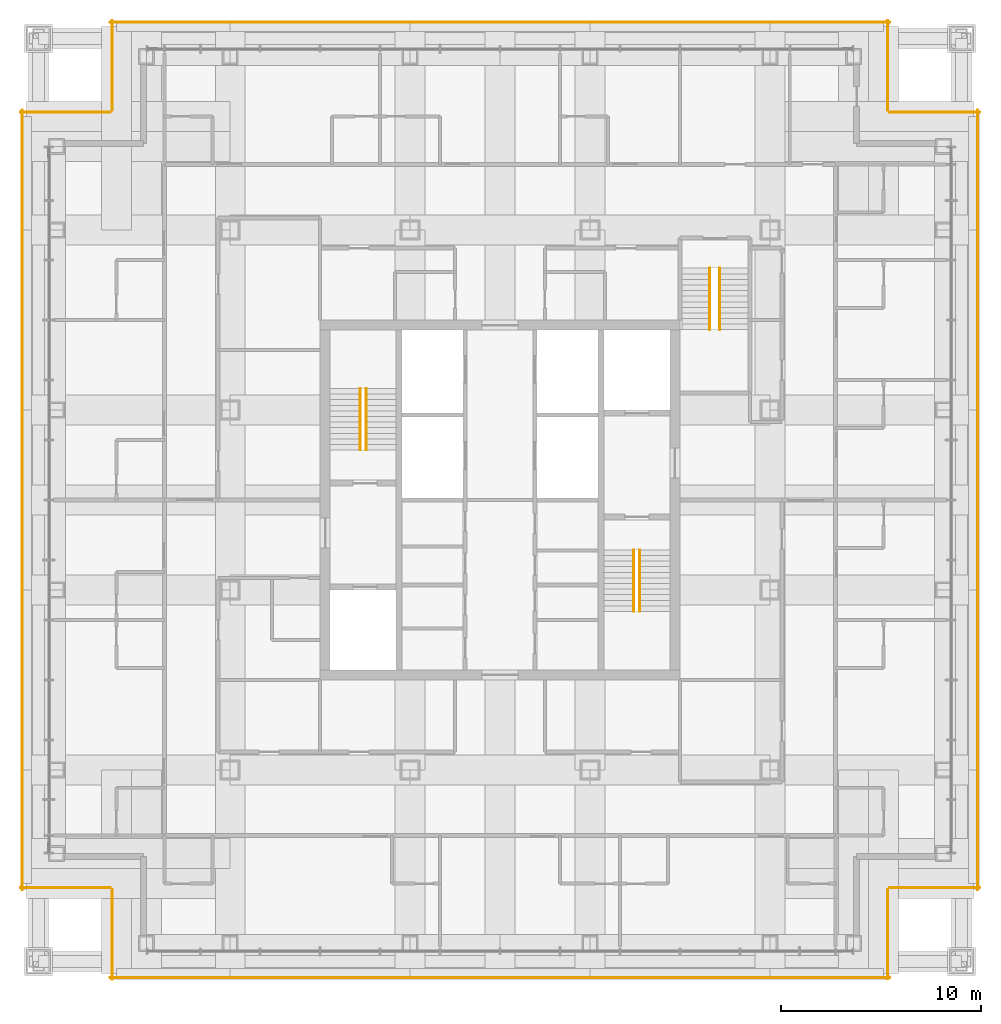
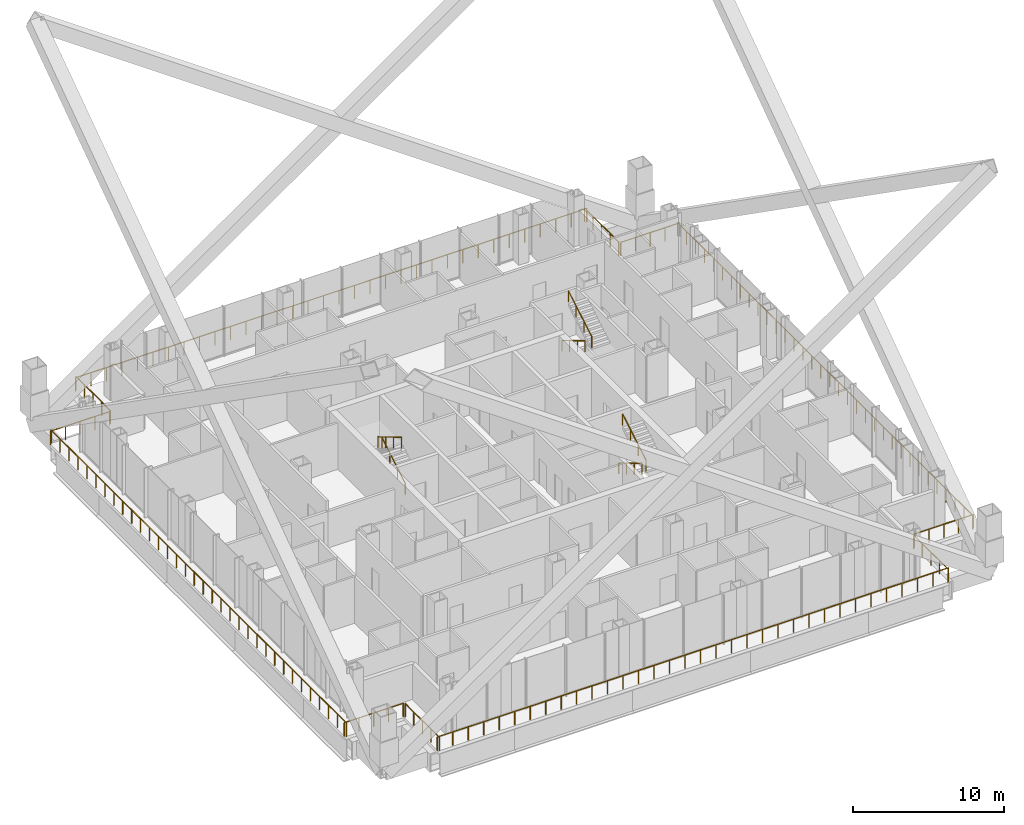
# One storey, part 16 of 18: 18 railings.
"""IFC4 building model written with IfcOpenShell, lengths in metres."""

from ifc_helpers import new_model, si_unit, direction, frame, origin, origin_2d, place, context, subcontext, project, spatial, circle, extrude, material, type_object, element, save


model = new_model("IFC4")

# Units and contexts
model_context = context("Model", 3, precision=1e-05, world=origin(), true_north=direction((0.0, 1.0)))
body_context = subcontext(model_context, "Body", "Model", "MODEL_VIEW")
ifc_project = project(units=[si_unit("LENGTHUNIT", "METRE"), si_unit("AREAUNIT", "SQUARE_METRE"), si_unit("VOLUMEUNIT", "CUBIC_METRE"), si_unit("PLANEANGLEUNIT", "RADIAN"), si_unit("MASSUNIT", "GRAM", prefix="KILO")], contexts=[model_context])

# Site, building, storey
site_placement = place(None, origin())
site = spatial("IfcSite", under=ifc_project, at=site_placement, CompositionType="ELEMENT")
building_placement = place(site_placement, origin())
building = spatial("IfcBuilding", under=site, at=building_placement, Name="Malebo Sky Hospital", CompositionType="ELEMENT")
storey_placement = place(building_placement, frame((0.0, 0.0, 177.0)))
storey = spatial("IfcBuildingStorey", under=building, at=storey_placement, Name="L42", CompositionType="ELEMENT", Elevation=177.0)

# Railings
ifc_material_1 = material(Name="Anodised aluminium, natural silver posts with stainless steel infill", Category="steel")
railing_type_1 = type_object("IfcRailingType", Name="ROOF EDGE GUARD 1100", PredefinedType="GUARDRAIL", material=ifc_material_1)
railing_1_placement = place(storey_placement, frame((79.39990234375, 38.0, 0.0)))
element("IfcRailing", 1, at=railing_1_placement, inside=storey, type_object=railing_type_1, Name="Maintenance roof edge guard 1 L42", PredefinedType="GUARDRAIL", context=body_context, shape_type="SweptSolid", body=[
    extrude(circle(Radius=0.02392578125, at=origin_2d()), frame((0.0, 0.0, 1.076171875), z_axis=(0.0, 1.0, 0.0), x_axis=(-1.0, 0.0, 0.0)), (0.0, 0.0, 1.0), 4.5),
    extrude(circle(Radius=0.02099609375, at=origin_2d()), origin(), (0.0, 0.0, 1.0), 1.052001953125),
    extrude(circle(Radius=0.02099609375, at=origin_2d()), frame((0.0, 1.125, 0.0)), (0.0, 0.0, 1.0), 1.052001953125),
    extrude(circle(Radius=0.02099609375, at=origin_2d()), frame((0.0, 2.25, 0.0)), (0.0, 0.0, 1.0), 1.052001953125),
    extrude(circle(Radius=0.02099609375, at=origin_2d()), frame((0.0, 3.375, 0.0)), (0.0, 0.0, 1.0), 1.052001953125),
    extrude(circle(Radius=0.02099609375, at=origin_2d()), frame((0.0, 4.5, 0.0)), (0.0, 0.0, 1.0), 1.052001953125),
])
railing_2_placement = place(storey_placement, frame((79.5, 42.60009765625, 0.0)))
element("IfcRailing", 2, at=railing_2_placement, inside=storey, type_object=railing_type_1, Name="Maintenance roof edge guard 2 L42", PredefinedType="GUARDRAIL", context=body_context, shape_type="SweptSolid", body=[
    extrude(circle(Radius=0.02392578125, at=origin_2d()), frame((0.0, 0.0, 1.076171875), z_axis=(1.0, 0.0, 0.0), x_axis=(0.0, 1.0, 0.0)), (0.0, 0.0, 1.0), 4.5),
    extrude(circle(Radius=0.02099609375, at=origin_2d()), origin(), (0.0, 0.0, 1.0), 1.052001953125),
    extrude(circle(Radius=0.02099609375, at=origin_2d()), frame((1.125, 0.0, 0.0)), (0.0, 0.0, 1.0), 1.052001953125),
    extrude(circle(Radius=0.02099609375, at=origin_2d()), frame((2.25, 0.0, 0.0)), (0.0, 0.0, 1.0), 1.052001953125),
    extrude(circle(Radius=0.02099609375, at=origin_2d()), frame((3.375, 0.0, 0.0)), (0.0, 0.0, 1.0), 1.052001953125),
    extrude(circle(Radius=0.02099609375, at=origin_2d()), frame((4.5, 0.0, 0.0)), (0.0, 0.0, 1.0), 1.052001953125),
])
railing_3_placement = place(storey_placement, frame((83.89990234375, 42.5, 0.0)))
element("IfcRailing", 3, at=railing_3_placement, inside=storey, type_object=railing_type_1, Name="Maintenance roof edge guard 3 L42", PredefinedType="GUARDRAIL", context=body_context, shape_type="SweptSolid", body=[
    extrude(circle(Radius=0.02392578125, at=origin_2d()), frame((0.0, 0.0, 1.076171875), z_axis=(0.0, 1.0, 0.0), x_axis=(-1.0, 0.0, 0.0)), (0.0, 0.0, 1.0), 39.0),
    extrude(circle(Radius=0.02099609375, at=origin_2d()), origin(), (0.0, 0.0, 1.0), 1.052001953125),
    extrude(circle(Radius=0.02099609375, at=origin_2d()), frame((0.0, 1.181884765625, 0.0)), (0.0, 0.0, 1.0), 1.052001953125),
    extrude(circle(Radius=0.02099609375, at=origin_2d()), frame((0.0, 2.363525390625, 0.0)), (0.0, 0.0, 1.0), 1.052001953125),
    extrude(circle(Radius=0.02099609375, at=origin_2d()), frame((0.0, 3.54541015625, 0.0)), (0.0, 0.0, 1.0), 1.052001953125),
    extrude(circle(Radius=0.02099609375, at=origin_2d()), frame((0.0, 4.727294921875, 0.0)), (0.0, 0.0, 1.0), 1.052001953125),
    extrude(circle(Radius=0.02099609375, at=origin_2d()), frame((0.0, 5.9091796875, 0.0)), (0.0, 0.0, 1.0), 1.052001953125),
    extrude(circle(Radius=0.02099609375, at=origin_2d()), frame((0.0, 7.0908203125, 0.0)), (0.0, 0.0, 1.0), 1.052001953125),
    extrude(circle(Radius=0.02099609375, at=origin_2d()), frame((0.0, 8.272705078125, 0.0)), (0.0, 0.0, 1.0), 1.052001953125),
    extrude(circle(Radius=0.02099609375, at=origin_2d()), frame((0.0, 9.45458984375, 0.0)), (0.0, 0.0, 1.0), 1.052001953125),
    extrude(circle(Radius=0.02099609375, at=origin_2d()), frame((0.0, 10.636474609375, 0.0)), (0.0, 0.0, 1.0), 1.052001953125),
    extrude(circle(Radius=0.02099609375, at=origin_2d()), frame((0.0, 11.818115234375, 0.0)), (0.0, 0.0, 1.0), 1.052001953125),
    extrude(circle(Radius=0.02099609375, at=origin_2d()), frame((0.0, 13.0, 0.0)), (0.0, 0.0, 1.0), 1.052001953125),
    extrude(circle(Radius=0.02099609375, at=origin_2d()), frame((0.0, 14.181884765625, 0.0)), (0.0, 0.0, 1.0), 1.052001953125),
    extrude(circle(Radius=0.02099609375, at=origin_2d()), frame((0.0, 15.363525390625, 0.0)), (0.0, 0.0, 1.0), 1.052001953125),
    extrude(circle(Radius=0.02099609375, at=origin_2d()), frame((0.0, 16.54541015625, 0.0)), (0.0, 0.0, 1.0), 1.052001953125),
    extrude(circle(Radius=0.02099609375, at=origin_2d()), frame((0.0, 17.727294921875, 0.0)), (0.0, 0.0, 1.0), 1.052001953125),
    extrude(circle(Radius=0.02099609375, at=origin_2d()), frame((0.0, 18.9091796875, 0.0)), (0.0, 0.0, 1.0), 1.052001953125),
    extrude(circle(Radius=0.02099609375, at=origin_2d()), frame((0.0, 20.0908203125, 0.0)), (0.0, 0.0, 1.0), 1.052001953125),
    extrude(circle(Radius=0.02099609375, at=origin_2d()), frame((0.0, 21.272705078125, 0.0)), (0.0, 0.0, 1.0), 1.052001953125),
    extrude(circle(Radius=0.02099609375, at=origin_2d()), frame((0.0, 22.45458984375, 0.0)), (0.0, 0.0, 1.0), 1.052001953125),
    extrude(circle(Radius=0.02099609375, at=origin_2d()), frame((0.0, 23.636474609375, 0.0)), (0.0, 0.0, 1.0), 1.052001953125),
    extrude(circle(Radius=0.02099609375, at=origin_2d()), frame((0.0, 24.818115234375, 0.0)), (0.0, 0.0, 1.0), 1.052001953125),
    extrude(circle(Radius=0.02099609375, at=origin_2d()), frame((0.0, 26.0, 0.0)), (0.0, 0.0, 1.0), 1.052001953125),
    extrude(circle(Radius=0.02099609375, at=origin_2d()), frame((0.0, 27.181884765625, 0.0)), (0.0, 0.0, 1.0), 1.052001953125),
    extrude(circle(Radius=0.02099609375, at=origin_2d()), frame((0.0, 28.363525390625, 0.0)), (0.0, 0.0, 1.0), 1.052001953125),
    extrude(circle(Radius=0.02099609375, at=origin_2d()), frame((0.0, 29.54541015625, 0.0)), (0.0, 0.0, 1.0), 1.052001953125),
    extrude(circle(Radius=0.02099609375, at=origin_2d()), frame((0.0, 30.727294921875, 0.0)), (0.0, 0.0, 1.0), 1.052001953125),
    extrude(circle(Radius=0.02099609375, at=origin_2d()), frame((0.0, 31.9091796875, 0.0)), (0.0, 0.0, 1.0), 1.052001953125),
    extrude(circle(Radius=0.02099609375, at=origin_2d()), frame((0.0, 33.0908203125, 0.0)), (0.0, 0.0, 1.0), 1.052001953125),
    extrude(circle(Radius=0.02099609375, at=origin_2d()), frame((0.0, 34.272705078125, 0.0)), (0.0, 0.0, 1.0), 1.052001953125),
    extrude(circle(Radius=0.02099609375, at=origin_2d()), frame((0.0, 35.45458984375, 0.0)), (0.0, 0.0, 1.0), 1.052001953125),
    extrude(circle(Radius=0.02099609375, at=origin_2d()), frame((0.0, 36.636474609375, 0.0)), (0.0, 0.0, 1.0), 1.052001953125),
    extrude(circle(Radius=0.02099609375, at=origin_2d()), frame((0.0, 37.818115234375, 0.0)), (0.0, 0.0, 1.0), 1.052001953125),
    extrude(circle(Radius=0.02099609375, at=origin_2d()), frame((0.0, 39.0, 0.0)), (0.0, 0.0, 1.0), 1.052001953125),
])
railing_4_placement = place(storey_placement, frame((84.0, 81.39990234375, 0.0)))
element("IfcRailing", 4, at=railing_4_placement, inside=storey, type_object=railing_type_1, Name="Maintenance roof edge guard 4 L42", PredefinedType="GUARDRAIL", context=body_context, shape_type="SweptSolid", body=[
    extrude(circle(Radius=0.02392578125, at=origin_2d()), frame((0.0, 0.0, 1.076171875), z_axis=(-1.0, 0.0, 0.0), x_axis=(0.0, -1.0, 0.0)), (0.0, 0.0, 1.0), 4.5),
    extrude(circle(Radius=0.02099609375, at=origin_2d()), origin(), (0.0, 0.0, 1.0), 1.052001953125),
    extrude(circle(Radius=0.02099609375, at=origin_2d()), frame((-1.125, 0.0, 0.0)), (0.0, 0.0, 1.0), 1.052001953125),
    extrude(circle(Radius=0.02099609375, at=origin_2d()), frame((-2.25, 0.0, 0.0)), (0.0, 0.0, 1.0), 1.052001953125),
    extrude(circle(Radius=0.02099609375, at=origin_2d()), frame((-3.375, 0.0, 0.0)), (0.0, 0.0, 1.0), 1.052001953125),
    extrude(circle(Radius=0.02099609375, at=origin_2d()), frame((-4.5, 0.0, 0.0)), (0.0, 0.0, 1.0), 1.052001953125),
])
railing_5_placement = place(storey_placement, frame((79.39990234375, 81.5, 0.0)))
element("IfcRailing", 5, at=railing_5_placement, inside=storey, type_object=railing_type_1, Name="Maintenance roof edge guard 5 L42", PredefinedType="GUARDRAIL", context=body_context, shape_type="SweptSolid", body=[
    extrude(circle(Radius=0.02392578125, at=origin_2d()), frame((0.0, 0.0, 1.076171875), z_axis=(0.0, 1.0, 0.0), x_axis=(-1.0, 0.0, 0.0)), (0.0, 0.0, 1.0), 4.5),
    extrude(circle(Radius=0.02099609375, at=origin_2d()), origin(), (0.0, 0.0, 1.0), 1.052001953125),
    extrude(circle(Radius=0.02099609375, at=origin_2d()), frame((0.0, 1.125, 0.0)), (0.0, 0.0, 1.0), 1.052001953125),
    extrude(circle(Radius=0.02099609375, at=origin_2d()), frame((0.0, 2.25, 0.0)), (0.0, 0.0, 1.0), 1.052001953125),
    extrude(circle(Radius=0.02099609375, at=origin_2d()), frame((0.0, 3.375, 0.0)), (0.0, 0.0, 1.0), 1.052001953125),
    extrude(circle(Radius=0.02099609375, at=origin_2d()), frame((0.0, 4.5, 0.0)), (0.0, 0.0, 1.0), 1.052001953125),
])
railing_6_placement = place(storey_placement, frame((79.5, 85.89990234375, 0.0)))
element("IfcRailing", 6, at=railing_6_placement, inside=storey, type_object=railing_type_1, Name="Maintenance roof edge guard 6 L42", PredefinedType="GUARDRAIL", context=body_context, shape_type="SweptSolid", body=[
    extrude(circle(Radius=0.02392578125, at=origin_2d()), frame((0.0, 0.0, 1.076171875), z_axis=(-1.0, 0.0, 0.0), x_axis=(0.0, -1.0, 0.0)), (0.0, 0.0, 1.0), 39.0),
    extrude(circle(Radius=0.02099609375, at=origin_2d()), origin(), (0.0, 0.0, 1.0), 1.052001953125),
    extrude(circle(Radius=0.02099609375, at=origin_2d()), frame((-1.181884765625, 0.0, 0.0)), (0.0, 0.0, 1.0), 1.052001953125),
    extrude(circle(Radius=0.02099609375, at=origin_2d()), frame((-2.363525390625, 0.0, 0.0)), (0.0, 0.0, 1.0), 1.052001953125),
    extrude(circle(Radius=0.02099609375, at=origin_2d()), frame((-3.54541015625, 0.0, 0.0)), (0.0, 0.0, 1.0), 1.052001953125),
    extrude(circle(Radius=0.02099609375, at=origin_2d()), frame((-4.727294921875, 0.0, 0.0)), (0.0, 0.0, 1.0), 1.052001953125),
    extrude(circle(Radius=0.02099609375, at=origin_2d()), frame((-5.9091796875, 0.0, 0.0)), (0.0, 0.0, 1.0), 1.052001953125),
    extrude(circle(Radius=0.02099609375, at=origin_2d()), frame((-7.0908203125, 0.0, 0.0)), (0.0, 0.0, 1.0), 1.052001953125),
    extrude(circle(Radius=0.02099609375, at=origin_2d()), frame((-8.272705078125, 0.0, 0.0)), (0.0, 0.0, 1.0), 1.052001953125),
    extrude(circle(Radius=0.02099609375, at=origin_2d()), frame((-9.45458984375, 0.0, 0.0)), (0.0, 0.0, 1.0), 1.052001953125),
    extrude(circle(Radius=0.02099609375, at=origin_2d()), frame((-10.636474609375, 0.0, 0.0)), (0.0, 0.0, 1.0), 1.052001953125),
    extrude(circle(Radius=0.02099609375, at=origin_2d()), frame((-11.818115234375, 0.0, 0.0)), (0.0, 0.0, 1.0), 1.052001953125),
    extrude(circle(Radius=0.02099609375, at=origin_2d()), frame((-13.0, 0.0, 0.0)), (0.0, 0.0, 1.0), 1.052001953125),
    extrude(circle(Radius=0.02099609375, at=origin_2d()), frame((-14.181884765625, 0.0, 0.0)), (0.0, 0.0, 1.0), 1.052001953125),
    extrude(circle(Radius=0.02099609375, at=origin_2d()), frame((-15.363525390625, 0.0, 0.0)), (0.0, 0.0, 1.0), 1.052001953125),
    extrude(circle(Radius=0.02099609375, at=origin_2d()), frame((-16.54541015625, 0.0, 0.0)), (0.0, 0.0, 1.0), 1.052001953125),
    extrude(circle(Radius=0.02099609375, at=origin_2d()), frame((-17.727294921875, 0.0, 0.0)), (0.0, 0.0, 1.0), 1.052001953125),
    extrude(circle(Radius=0.02099609375, at=origin_2d()), frame((-18.9091796875, 0.0, 0.0)), (0.0, 0.0, 1.0), 1.052001953125),
    extrude(circle(Radius=0.02099609375, at=origin_2d()), frame((-20.0908203125, 0.0, 0.0)), (0.0, 0.0, 1.0), 1.052001953125),
    extrude(circle(Radius=0.02099609375, at=origin_2d()), frame((-21.272705078125, 0.0, 0.0)), (0.0, 0.0, 1.0), 1.052001953125),
    extrude(circle(Radius=0.02099609375, at=origin_2d()), frame((-22.45458984375, 0.0, 0.0)), (0.0, 0.0, 1.0), 1.052001953125),
    extrude(circle(Radius=0.02099609375, at=origin_2d()), frame((-23.636474609375, 0.0, 0.0)), (0.0, 0.0, 1.0), 1.052001953125),
    extrude(circle(Radius=0.02099609375, at=origin_2d()), frame((-24.818115234375, 0.0, 0.0)), (0.0, 0.0, 1.0), 1.052001953125),
    extrude(circle(Radius=0.02099609375, at=origin_2d()), frame((-26.0, 0.0, 0.0)), (0.0, 0.0, 1.0), 1.052001953125),
    extrude(circle(Radius=0.02099609375, at=origin_2d()), frame((-27.181884765625, 0.0, 0.0)), (0.0, 0.0, 1.0), 1.052001953125),
    extrude(circle(Radius=0.02099609375, at=origin_2d()), frame((-28.363525390625, 0.0, 0.0)), (0.0, 0.0, 1.0), 1.052001953125),
    extrude(circle(Radius=0.02099609375, at=origin_2d()), frame((-29.54541015625, 0.0, 0.0)), (0.0, 0.0, 1.0), 1.052001953125),
    extrude(circle(Radius=0.02099609375, at=origin_2d()), frame((-30.727294921875, 0.0, 0.0)), (0.0, 0.0, 1.0), 1.052001953125),
    extrude(circle(Radius=0.02099609375, at=origin_2d()), frame((-31.9091796875, 0.0, 0.0)), (0.0, 0.0, 1.0), 1.052001953125),
    extrude(circle(Radius=0.02099609375, at=origin_2d()), frame((-33.0908203125, 0.0, 0.0)), (0.0, 0.0, 1.0), 1.052001953125),
    extrude(circle(Radius=0.02099609375, at=origin_2d()), frame((-34.272705078125, 0.0, 0.0)), (0.0, 0.0, 1.0), 1.052001953125),
    extrude(circle(Radius=0.02099609375, at=origin_2d()), frame((-35.45458984375, 0.0, 0.0)), (0.0, 0.0, 1.0), 1.052001953125),
    extrude(circle(Radius=0.02099609375, at=origin_2d()), frame((-36.636474609375, 0.0, 0.0)), (0.0, 0.0, 1.0), 1.052001953125),
    extrude(circle(Radius=0.02099609375, at=origin_2d()), frame((-37.818115234375, 0.0, 0.0)), (0.0, 0.0, 1.0), 1.052001953125),
    extrude(circle(Radius=0.02099609375, at=origin_2d()), frame((-39.0, 0.0, 0.0)), (0.0, 0.0, 1.0), 1.052001953125),
])
railing_7_placement = place(storey_placement, frame((40.60009765625, 86.0, 0.0)))
element("IfcRailing", 7, at=railing_7_placement, inside=storey, type_object=railing_type_1, Name="Maintenance roof edge guard 7 L42", PredefinedType="GUARDRAIL", context=body_context, shape_type="SweptSolid", body=[
    extrude(circle(Radius=0.02392578125, at=origin_2d()), frame((0.0, 0.0, 1.076171875), z_axis=(0.0, -1.0, 0.0), x_axis=(1.0, 0.0, 0.0)), (0.0, 0.0, 1.0), 4.5),
    extrude(circle(Radius=0.02099609375, at=origin_2d()), origin(), (0.0, 0.0, 1.0), 1.052001953125),
    extrude(circle(Radius=0.02099609375, at=origin_2d()), frame((0.0, -1.125, 0.0)), (0.0, 0.0, 1.0), 1.052001953125),
    extrude(circle(Radius=0.02099609375, at=origin_2d()), frame((0.0, -2.25, 0.0)), (0.0, 0.0, 1.0), 1.052001953125),
    extrude(circle(Radius=0.02099609375, at=origin_2d()), frame((0.0, -3.375, 0.0)), (0.0, 0.0, 1.0), 1.052001953125),
    extrude(circle(Radius=0.02099609375, at=origin_2d()), frame((0.0, -4.5, 0.0)), (0.0, 0.0, 1.0), 1.052001953125),
])
railing_8_placement = place(storey_placement, frame((40.5, 81.39990234375, 0.0)))
element("IfcRailing", 8, at=railing_8_placement, inside=storey, type_object=railing_type_1, Name="Maintenance roof edge guard 8 L42", PredefinedType="GUARDRAIL", context=body_context, shape_type="SweptSolid", body=[
    extrude(circle(Radius=0.02392578125, at=origin_2d()), frame((0.0, 0.0, 1.076171875), z_axis=(-1.0, 0.0, 0.0), x_axis=(0.0, -1.0, 0.0)), (0.0, 0.0, 1.0), 4.5),
    extrude(circle(Radius=0.02099609375, at=origin_2d()), origin(), (0.0, 0.0, 1.0), 1.052001953125),
    extrude(circle(Radius=0.02099609375, at=origin_2d()), frame((-1.125, 0.0, 0.0)), (0.0, 0.0, 1.0), 1.052001953125),
    extrude(circle(Radius=0.02099609375, at=origin_2d()), frame((-2.25, 0.0, 0.0)), (0.0, 0.0, 1.0), 1.052001953125),
    extrude(circle(Radius=0.02099609375, at=origin_2d()), frame((-3.375, 0.0, 0.0)), (0.0, 0.0, 1.0), 1.052001953125),
    extrude(circle(Radius=0.02099609375, at=origin_2d()), frame((-4.5, 0.0, 0.0)), (0.0, 0.0, 1.0), 1.052001953125),
])
railing_9_placement = place(storey_placement, frame((36.10009765625, 81.5, 0.0)))
element("IfcRailing", 9, at=railing_9_placement, inside=storey, type_object=railing_type_1, Name="Maintenance roof edge guard 9 L42", PredefinedType="GUARDRAIL", context=body_context, shape_type="SweptSolid", body=[
    extrude(circle(Radius=0.02392578125, at=origin_2d()), frame((0.0, 0.0, 1.076171875), z_axis=(0.0, -1.0, 0.0), x_axis=(1.0, 0.0, 0.0)), (0.0, 0.0, 1.0), 39.0),
    extrude(circle(Radius=0.02099609375, at=origin_2d()), origin(), (0.0, 0.0, 1.0), 1.052001953125),
    extrude(circle(Radius=0.02099609375, at=origin_2d()), frame((0.0, -1.181884765625, 0.0)), (0.0, 0.0, 1.0), 1.052001953125),
    extrude(circle(Radius=0.02099609375, at=origin_2d()), frame((0.0, -2.363525390625, 0.0)), (0.0, 0.0, 1.0), 1.052001953125),
    extrude(circle(Radius=0.02099609375, at=origin_2d()), frame((0.0, -3.54541015625, 0.0)), (0.0, 0.0, 1.0), 1.052001953125),
    extrude(circle(Radius=0.02099609375, at=origin_2d()), frame((0.0, -4.727294921875, 0.0)), (0.0, 0.0, 1.0), 1.052001953125),
    extrude(circle(Radius=0.02099609375, at=origin_2d()), frame((0.0, -5.9091796875, 0.0)), (0.0, 0.0, 1.0), 1.052001953125),
    extrude(circle(Radius=0.02099609375, at=origin_2d()), frame((0.0, -7.0908203125, 0.0)), (0.0, 0.0, 1.0), 1.052001953125),
    extrude(circle(Radius=0.02099609375, at=origin_2d()), frame((0.0, -8.272705078125, 0.0)), (0.0, 0.0, 1.0), 1.052001953125),
    extrude(circle(Radius=0.02099609375, at=origin_2d()), frame((0.0, -9.45458984375, 0.0)), (0.0, 0.0, 1.0), 1.052001953125),
    extrude(circle(Radius=0.02099609375, at=origin_2d()), frame((0.0, -10.636474609375, 0.0)), (0.0, 0.0, 1.0), 1.052001953125),
    extrude(circle(Radius=0.02099609375, at=origin_2d()), frame((0.0, -11.818115234375, 0.0)), (0.0, 0.0, 1.0), 1.052001953125),
    extrude(circle(Radius=0.02099609375, at=origin_2d()), frame((0.0, -13.0, 0.0)), (0.0, 0.0, 1.0), 1.052001953125),
    extrude(circle(Radius=0.02099609375, at=origin_2d()), frame((0.0, -14.181884765625, 0.0)), (0.0, 0.0, 1.0), 1.052001953125),
    extrude(circle(Radius=0.02099609375, at=origin_2d()), frame((0.0, -15.363525390625, 0.0)), (0.0, 0.0, 1.0), 1.052001953125),
    extrude(circle(Radius=0.02099609375, at=origin_2d()), frame((0.0, -16.54541015625, 0.0)), (0.0, 0.0, 1.0), 1.052001953125),
    extrude(circle(Radius=0.02099609375, at=origin_2d()), frame((0.0, -17.727294921875, 0.0)), (0.0, 0.0, 1.0), 1.052001953125),
    extrude(circle(Radius=0.02099609375, at=origin_2d()), frame((0.0, -18.9091796875, 0.0)), (0.0, 0.0, 1.0), 1.052001953125),
    extrude(circle(Radius=0.02099609375, at=origin_2d()), frame((0.0, -20.0908203125, 0.0)), (0.0, 0.0, 1.0), 1.052001953125),
    extrude(circle(Radius=0.02099609375, at=origin_2d()), frame((0.0, -21.272705078125, 0.0)), (0.0, 0.0, 1.0), 1.052001953125),
    extrude(circle(Radius=0.02099609375, at=origin_2d()), frame((0.0, -22.45458984375, 0.0)), (0.0, 0.0, 1.0), 1.052001953125),
    extrude(circle(Radius=0.02099609375, at=origin_2d()), frame((0.0, -23.636474609375, 0.0)), (0.0, 0.0, 1.0), 1.052001953125),
    extrude(circle(Radius=0.02099609375, at=origin_2d()), frame((0.0, -24.818115234375, 0.0)), (0.0, 0.0, 1.0), 1.052001953125),
    extrude(circle(Radius=0.02099609375, at=origin_2d()), frame((0.0, -26.0, 0.0)), (0.0, 0.0, 1.0), 1.052001953125),
    extrude(circle(Radius=0.02099609375, at=origin_2d()), frame((0.0, -27.181884765625, 0.0)), (0.0, 0.0, 1.0), 1.052001953125),
    extrude(circle(Radius=0.02099609375, at=origin_2d()), frame((0.0, -28.363525390625, 0.0)), (0.0, 0.0, 1.0), 1.052001953125),
    extrude(circle(Radius=0.02099609375, at=origin_2d()), frame((0.0, -29.54541015625, 0.0)), (0.0, 0.0, 1.0), 1.052001953125),
    extrude(circle(Radius=0.02099609375, at=origin_2d()), frame((0.0, -30.727294921875, 0.0)), (0.0, 0.0, 1.0), 1.052001953125),
    extrude(circle(Radius=0.02099609375, at=origin_2d()), frame((0.0, -31.9091796875, 0.0)), (0.0, 0.0, 1.0), 1.052001953125),
    extrude(circle(Radius=0.02099609375, at=origin_2d()), frame((0.0, -33.0908203125, 0.0)), (0.0, 0.0, 1.0), 1.052001953125),
    extrude(circle(Radius=0.02099609375, at=origin_2d()), frame((0.0, -34.272705078125, 0.0)), (0.0, 0.0, 1.0), 1.052001953125),
    extrude(circle(Radius=0.02099609375, at=origin_2d()), frame((0.0, -35.45458984375, 0.0)), (0.0, 0.0, 1.0), 1.052001953125),
    extrude(circle(Radius=0.02099609375, at=origin_2d()), frame((0.0, -36.636474609375, 0.0)), (0.0, 0.0, 1.0), 1.052001953125),
    extrude(circle(Radius=0.02099609375, at=origin_2d()), frame((0.0, -37.818115234375, 0.0)), (0.0, 0.0, 1.0), 1.052001953125),
    extrude(circle(Radius=0.02099609375, at=origin_2d()), frame((0.0, -39.0, 0.0)), (0.0, 0.0, 1.0), 1.052001953125),
])
railing_10_placement = place(storey_placement, frame((36.0, 42.60009765625, 0.0)))
element("IfcRailing", 10, at=railing_10_placement, inside=storey, type_object=railing_type_1, Name="Maintenance roof edge guard 10 L42", PredefinedType="GUARDRAIL", context=body_context, shape_type="SweptSolid", body=[
    extrude(circle(Radius=0.02392578125, at=origin_2d()), frame((0.0, 0.0, 1.076171875), z_axis=(1.0, 0.0, 0.0), x_axis=(0.0, 1.0, 0.0)), (0.0, 0.0, 1.0), 4.5),
    extrude(circle(Radius=0.02099609375, at=origin_2d()), origin(), (0.0, 0.0, 1.0), 1.052001953125),
    extrude(circle(Radius=0.02099609375, at=origin_2d()), frame((1.125, 0.0, 0.0)), (0.0, 0.0, 1.0), 1.052001953125),
    extrude(circle(Radius=0.02099609375, at=origin_2d()), frame((2.25, 0.0, 0.0)), (0.0, 0.0, 1.0), 1.052001953125),
    extrude(circle(Radius=0.02099609375, at=origin_2d()), frame((3.375, 0.0, 0.0)), (0.0, 0.0, 1.0), 1.052001953125),
    extrude(circle(Radius=0.02099609375, at=origin_2d()), frame((4.5, 0.0, 0.0)), (0.0, 0.0, 1.0), 1.052001953125),
])
railing_11_placement = place(storey_placement, frame((40.60009765625, 42.5, 0.0)))
element("IfcRailing", 11, at=railing_11_placement, inside=storey, type_object=railing_type_1, Name="Maintenance roof edge guard 11 L42", PredefinedType="GUARDRAIL", context=body_context, shape_type="SweptSolid", body=[
    extrude(circle(Radius=0.02392578125, at=origin_2d()), frame((0.0, 0.0, 1.076171875), z_axis=(0.0, -1.0, 0.0), x_axis=(1.0, 0.0, 0.0)), (0.0, 0.0, 1.0), 4.5),
    extrude(circle(Radius=0.02099609375, at=origin_2d()), origin(), (0.0, 0.0, 1.0), 1.052001953125),
    extrude(circle(Radius=0.02099609375, at=origin_2d()), frame((0.0, -1.125, 0.0)), (0.0, 0.0, 1.0), 1.052001953125),
    extrude(circle(Radius=0.02099609375, at=origin_2d()), frame((0.0, -2.25, 0.0)), (0.0, 0.0, 1.0), 1.052001953125),
    extrude(circle(Radius=0.02099609375, at=origin_2d()), frame((0.0, -3.375, 0.0)), (0.0, 0.0, 1.0), 1.052001953125),
    extrude(circle(Radius=0.02099609375, at=origin_2d()), frame((0.0, -4.5, 0.0)), (0.0, 0.0, 1.0), 1.052001953125),
])
railing_12_placement = place(storey_placement, frame((40.5, 38.10009765625, 0.0)))
element("IfcRailing", 12, at=railing_12_placement, inside=storey, type_object=railing_type_1, Name="Maintenance roof edge guard 12 L42", PredefinedType="GUARDRAIL", context=body_context, shape_type="SweptSolid", body=[
    extrude(circle(Radius=0.02392578125, at=origin_2d()), frame((0.0, 0.0, 1.076171875), z_axis=(1.0, 0.0, 0.0), x_axis=(0.0, 1.0, 0.0)), (0.0, 0.0, 1.0), 39.0),
    extrude(circle(Radius=0.02099609375, at=origin_2d()), origin(), (0.0, 0.0, 1.0), 1.052001953125),
    extrude(circle(Radius=0.02099609375, at=origin_2d()), frame((1.181884765625, 0.0, 0.0)), (0.0, 0.0, 1.0), 1.052001953125),
    extrude(circle(Radius=0.02099609375, at=origin_2d()), frame((2.363525390625, 0.0, 0.0)), (0.0, 0.0, 1.0), 1.052001953125),
    extrude(circle(Radius=0.02099609375, at=origin_2d()), frame((3.54541015625, 0.0, 0.0)), (0.0, 0.0, 1.0), 1.052001953125),
    extrude(circle(Radius=0.02099609375, at=origin_2d()), frame((4.727294921875, 0.0, 0.0)), (0.0, 0.0, 1.0), 1.052001953125),
    extrude(circle(Radius=0.02099609375, at=origin_2d()), frame((5.9091796875, 0.0, 0.0)), (0.0, 0.0, 1.0), 1.052001953125),
    extrude(circle(Radius=0.02099609375, at=origin_2d()), frame((7.0908203125, 0.0, 0.0)), (0.0, 0.0, 1.0), 1.052001953125),
    extrude(circle(Radius=0.02099609375, at=origin_2d()), frame((8.272705078125, 0.0, 0.0)), (0.0, 0.0, 1.0), 1.052001953125),
    extrude(circle(Radius=0.02099609375, at=origin_2d()), frame((9.45458984375, 0.0, 0.0)), (0.0, 0.0, 1.0), 1.052001953125),
    extrude(circle(Radius=0.02099609375, at=origin_2d()), frame((10.636474609375, 0.0, 0.0)), (0.0, 0.0, 1.0), 1.052001953125),
    extrude(circle(Radius=0.02099609375, at=origin_2d()), frame((11.818115234375, 0.0, 0.0)), (0.0, 0.0, 1.0), 1.052001953125),
    extrude(circle(Radius=0.02099609375, at=origin_2d()), frame((13.0, 0.0, 0.0)), (0.0, 0.0, 1.0), 1.052001953125),
    extrude(circle(Radius=0.02099609375, at=origin_2d()), frame((14.181884765625, 0.0, 0.0)), (0.0, 0.0, 1.0), 1.052001953125),
    extrude(circle(Radius=0.02099609375, at=origin_2d()), frame((15.363525390625, 0.0, 0.0)), (0.0, 0.0, 1.0), 1.052001953125),
    extrude(circle(Radius=0.02099609375, at=origin_2d()), frame((16.54541015625, 0.0, 0.0)), (0.0, 0.0, 1.0), 1.052001953125),
    extrude(circle(Radius=0.02099609375, at=origin_2d()), frame((17.727294921875, 0.0, 0.0)), (0.0, 0.0, 1.0), 1.052001953125),
    extrude(circle(Radius=0.02099609375, at=origin_2d()), frame((18.9091796875, 0.0, 0.0)), (0.0, 0.0, 1.0), 1.052001953125),
    extrude(circle(Radius=0.02099609375, at=origin_2d()), frame((20.0908203125, 0.0, 0.0)), (0.0, 0.0, 1.0), 1.052001953125),
    extrude(circle(Radius=0.02099609375, at=origin_2d()), frame((21.272705078125, 0.0, 0.0)), (0.0, 0.0, 1.0), 1.052001953125),
    extrude(circle(Radius=0.02099609375, at=origin_2d()), frame((22.45458984375, 0.0, 0.0)), (0.0, 0.0, 1.0), 1.052001953125),
    extrude(circle(Radius=0.02099609375, at=origin_2d()), frame((23.636474609375, 0.0, 0.0)), (0.0, 0.0, 1.0), 1.052001953125),
    extrude(circle(Radius=0.02099609375, at=origin_2d()), frame((24.818115234375, 0.0, 0.0)), (0.0, 0.0, 1.0), 1.052001953125),
    extrude(circle(Radius=0.02099609375, at=origin_2d()), frame((26.0, 0.0, 0.0)), (0.0, 0.0, 1.0), 1.052001953125),
    extrude(circle(Radius=0.02099609375, at=origin_2d()), frame((27.181884765625, 0.0, 0.0)), (0.0, 0.0, 1.0), 1.052001953125),
    extrude(circle(Radius=0.02099609375, at=origin_2d()), frame((28.363525390625, 0.0, 0.0)), (0.0, 0.0, 1.0), 1.052001953125),
    extrude(circle(Radius=0.02099609375, at=origin_2d()), frame((29.54541015625, 0.0, 0.0)), (0.0, 0.0, 1.0), 1.052001953125),
    extrude(circle(Radius=0.02099609375, at=origin_2d()), frame((30.727294921875, 0.0, 0.0)), (0.0, 0.0, 1.0), 1.052001953125),
    extrude(circle(Radius=0.02099609375, at=origin_2d()), frame((31.9091796875, 0.0, 0.0)), (0.0, 0.0, 1.0), 1.052001953125),
    extrude(circle(Radius=0.02099609375, at=origin_2d()), frame((33.0908203125, 0.0, 0.0)), (0.0, 0.0, 1.0), 1.052001953125),
    extrude(circle(Radius=0.02099609375, at=origin_2d()), frame((34.272705078125, 0.0, 0.0)), (0.0, 0.0, 1.0), 1.052001953125),
    extrude(circle(Radius=0.02099609375, at=origin_2d()), frame((35.45458984375, 0.0, 0.0)), (0.0, 0.0, 1.0), 1.052001953125),
    extrude(circle(Radius=0.02099609375, at=origin_2d()), frame((36.636474609375, 0.0, 0.0)), (0.0, 0.0, 1.0), 1.052001953125),
    extrude(circle(Radius=0.02099609375, at=origin_2d()), frame((37.818115234375, 0.0, 0.0)), (0.0, 0.0, 1.0), 1.052001953125),
    extrude(circle(Radius=0.02099609375, at=origin_2d()), frame((39.0, 0.0, 0.0)), (0.0, 0.0, 1.0), 1.052001953125),
])
ifc_material_2 = material(Name="Stainless steel tube", Category="steel")
railing_type_2 = type_object("IfcRailingType", Name="STAIR HANDRAIL 900", PredefinedType="HANDRAIL", material=ifc_material_2)
railing_13_placement = place(storey_placement, frame((53.300048828125, 64.5, 0.166748046875)))
element("IfcRailing", 13, at=railing_13_placement, inside=storey, type_object=railing_type_2, Name="Stair handrail S1 flight 1", PredefinedType="HANDRAIL", context=body_context, shape_type="SweptSolid", body=[
    extrude(circle(Radius=0.02392578125, at=origin_2d()), frame((0.0, 0.0, 0.8759765625), z_axis=(0.0, 0.859308565015, 0.511457515432), x_axis=(-1.0, 0.0, 0.0)), (0.0, 0.0, 1.0), 3.58447265625),
    extrude(circle(Radius=0.02099609375, at=origin_2d()), origin(), (0.0, 0.0, 1.0), 0.851806640625),
    extrude(circle(Radius=0.02099609375, at=origin_2d()), frame((0.0, 1.026611328125, 0.611083984375)), (0.0, 0.0, 1.0), 0.851806640625),
    extrude(circle(Radius=0.02099609375, at=origin_2d()), frame((0.0, 2.053466796875, 1.22216796875)), (0.0, 0.0, 1.0), 0.851806640625),
    extrude(circle(Radius=0.02099609375, at=origin_2d()), frame((0.0, 3.080078125, 1.833251953125)), (0.0, 0.0, 1.0), 0.851806640625),
])
for number, where, name in (
    (14, (53.0, 67.580078125, 2.166748046875), "Stair handrail S1 flight 2"),
    (15, (66.699951171875, 59.5, 0.166748046875), "Stair handrail S2 flight 1"),
):
    element("IfcRailing", number, at=place(storey_placement, frame(where)), inside=storey, type_object=railing_type_2, Name=name, PredefinedType="HANDRAIL", context=body_context, shape_type="SweptSolid", body=[
        extrude(circle(Radius=0.02392578125, at=origin_2d()), frame((0.0, 0.0, 0.8759765625), z_axis=(0.0, -0.859308565015, 0.511457515432), x_axis=(1.0, 0.0, 0.0)), (0.0, 0.0, 1.0), 3.58447265625),
        extrude(circle(Radius=0.02099609375, at=origin_2d()), origin(), (0.0, 0.0, 1.0), 0.851806640625),
        extrude(circle(Radius=0.02099609375, at=origin_2d()), frame((0.0, -1.026611328125, 0.611083984375)), (0.0, 0.0, 1.0), 0.851806640625),
        extrude(circle(Radius=0.02099609375, at=origin_2d()), frame((0.0, -2.053466796875, 1.22216796875)), (0.0, 0.0, 1.0), 0.851806640625),
        extrude(circle(Radius=0.02099609375, at=origin_2d()), frame((0.0, -3.080078125, 1.833251953125)), (0.0, 0.0, 1.0), 0.851806640625),
    ])
railing_14_placement = place(storey_placement, frame((67.0, 56.419921875, 2.166748046875)))
element("IfcRailing", 16, at=railing_14_placement, inside=storey, type_object=railing_type_2, Name="Stair handrail S2 flight 2", PredefinedType="HANDRAIL", context=body_context, shape_type="SweptSolid", body=[
    extrude(circle(Radius=0.02392578125, at=origin_2d()), frame((0.0, 0.0, 0.8759765625), z_axis=(0.0, 0.859308565015, 0.511457515432), x_axis=(-1.0, 0.0, 0.0)), (0.0, 0.0, 1.0), 3.58447265625),
    extrude(circle(Radius=0.02099609375, at=origin_2d()), origin(), (0.0, 0.0, 1.0), 0.851806640625),
    extrude(circle(Radius=0.02099609375, at=origin_2d()), frame((0.0, 1.026611328125, 0.611083984375)), (0.0, 0.0, 1.0), 0.851806640625),
    extrude(circle(Radius=0.02099609375, at=origin_2d()), frame((0.0, 2.053466796875, 1.22216796875)), (0.0, 0.0, 1.0), 0.851806640625),
    extrude(circle(Radius=0.02099609375, at=origin_2d()), frame((0.0, 3.080078125, 1.833251953125)), (0.0, 0.0, 1.0), 0.851806640625),
])
railing_15_placement = place(storey_placement, frame((70.5, 73.60009765625, 0.166748046875)))
element("IfcRailing", 17, at=railing_15_placement, inside=storey, type_object=railing_type_2, Name="Stair handrail S3 flight 1", PredefinedType="HANDRAIL", context=body_context, shape_type="SweptSolid", body=[
    extrude(circle(Radius=0.02392578125, at=origin_2d()), frame((0.0, 0.0, 0.8759765625), z_axis=(0.0, -0.859308565015, 0.511457515432), x_axis=(1.0, 0.0, 0.0)), (0.0, 0.0, 1.0), 3.58447265625),
    extrude(circle(Radius=0.02099609375, at=origin_2d()), origin(), (0.0, 0.0, 1.0), 0.851806640625),
    extrude(circle(Radius=0.02099609375, at=origin_2d()), frame((0.0, -1.026611328125, 0.611083984375)), (0.0, 0.0, 1.0), 0.851806640625),
    extrude(circle(Radius=0.02099609375, at=origin_2d()), frame((0.0, -2.053466796875, 1.22216796875)), (0.0, 0.0, 1.0), 0.851806640625),
    extrude(circle(Radius=0.02099609375, at=origin_2d()), frame((0.0, -3.080078125, 1.833251953125)), (0.0, 0.0, 1.0), 0.851806640625),
])
railing_16_placement = place(storey_placement, frame((71.0, 70.52001953125, 2.166748046875)))
element("IfcRailing", 18, at=railing_16_placement, inside=storey, type_object=railing_type_2, Name="Stair handrail S3 flight 2", PredefinedType="HANDRAIL", context=body_context, shape_type="SweptSolid", body=[
    extrude(circle(Radius=0.02392578125, at=origin_2d()), frame((0.0, 0.0, 0.8759765625), z_axis=(0.0, 0.859308565015, 0.511457515432), x_axis=(-1.0, 0.0, 0.0)), (0.0, 0.0, 1.0), 3.58447265625),
    extrude(circle(Radius=0.02099609375, at=origin_2d()), origin(), (0.0, 0.0, 1.0), 0.851806640625),
    extrude(circle(Radius=0.02099609375, at=origin_2d()), frame((0.0, 1.026611328125, 0.611083984375)), (0.0, 0.0, 1.0), 0.851806640625),
    extrude(circle(Radius=0.02099609375, at=origin_2d()), frame((0.0, 2.053466796875, 1.22216796875)), (0.0, 0.0, 1.0), 0.851806640625),
    extrude(circle(Radius=0.02099609375, at=origin_2d()), frame((0.0, 3.080078125, 1.833251953125)), (0.0, 0.0, 1.0), 0.851806640625),
])

save(model, "model.ifc")
